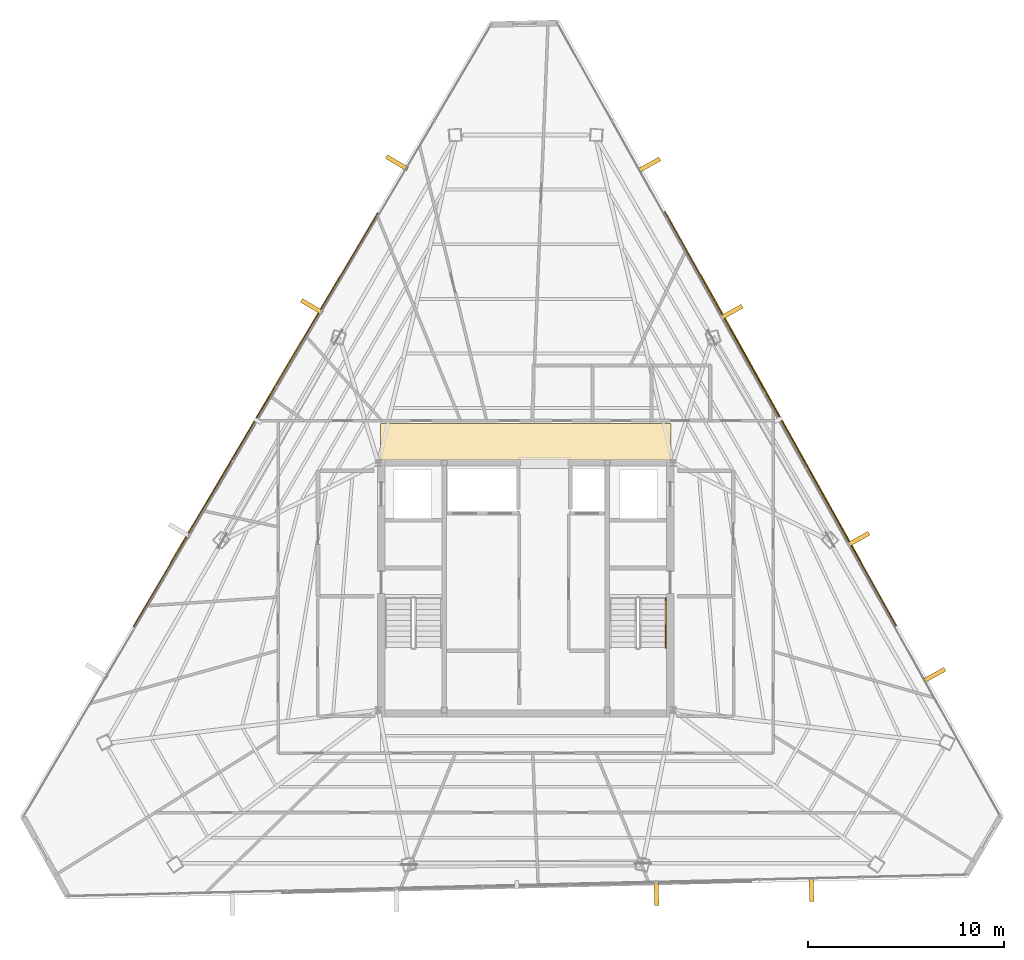
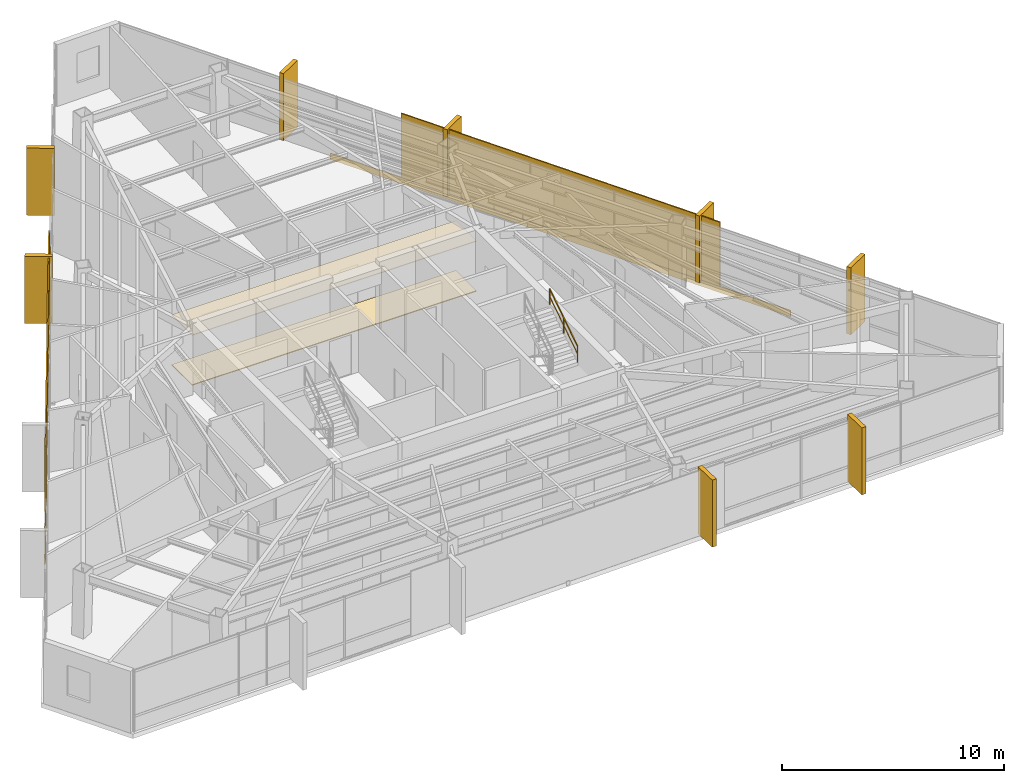
# One storey, part 45 of 45: 12 coverings, 2 shading devices, 1 railing.
"""IFC4 building model written with IfcOpenShell, lengths in metres."""

from ifc_helpers import new_model, si_unit, direction, frame, origin, origin_2d, place, context, subcontext, project, spatial, polyline, rectangle, outline, extrude, source, transform, mapped, material, layer, layer_set, type_object, type_shapes, element, save


model = new_model("IFC4")

# Units and contexts
model_context = context("Model", 3, precision=1e-05, world=origin(), true_north=direction((0.0, 1.0)))
body_context = subcontext(model_context, "Body", "Model", "MODEL_VIEW")
ifc_project = project(units=[si_unit("LENGTHUNIT", "METRE"), si_unit("AREAUNIT", "SQUARE_METRE"), si_unit("VOLUMEUNIT", "CUBIC_METRE"), si_unit("PLANEANGLEUNIT", "RADIAN"), si_unit("MASSUNIT", "GRAM", prefix="KILO")], contexts=[model_context])

# Site, building, storey
site_placement = place(None, origin())
site = spatial("IfcSite", under=ifc_project, at=site_placement, CompositionType="ELEMENT")
building_placement = place(site_placement, origin())
building = spatial("IfcBuilding", under=site, at=building_placement, Name="Caelisora Broadcast Tower", CompositionType="ELEMENT")
storey_placement = place(building_placement, frame((0.0, 0.0, 266.35009765625)))
storey = spatial("IfcBuildingStorey", under=building, at=storey_placement, Name="L70", CompositionType="ELEMENT", Elevation=266.35009765625)

# Coverings
ifc_material_1 = material(Name="Perforated Mineral-Fibre Acoustic Ceiling Tile", Category="gypsum")
ifc_layer_1 = layer(ifc_material_1, 0.034912109375, Name="Perforated Mineral-Fibre Acoustic Ceiling Tile")
ifc_layer_set_1 = layer_set([ifc_layer_1], Name="Perforated Mineral-Fibre Acoustic Ceiling Tile")
covering_type_1 = type_object("IfcCoveringType", Name="CE-1", PredefinedType="CEILING", material=ifc_layer_set_1)
covering_1_placement = place(storey_placement, frame((0.0, 0.0, 2.75)))
element("IfcCovering", 1, at=covering_1_placement, inside=storey, type_object=covering_type_1, Name="L70 acoustic corridor ceiling CE-1 (N)", PredefinedType="CEILING", context=body_context, shape_type="SweptSolid", body=[
    extrude(outline(polyline([(30.60009765625, 30.14990234375), (45.39990234375, 30.14990234375), (45.39990234375, 32.0), (30.60009765625, 32.0), (30.60009765625, 30.14990234375)])), origin(), (0.0, 0.0, 1.0), 0.034912109375),
])
ifc_material_2 = material(Name="Anti-Static Broadcast Raised Access Floor Panel", Category="steel")
ifc_layer_2 = layer(ifc_material_2, 0.044921875, Name="Anti-Static Broadcast Raised Access Floor Panel")
ifc_layer_set_2 = layer_set([ifc_layer_2], Name="Anti-Static Broadcast Raised Access Floor Panel")
covering_type_2 = type_object("IfcCoveringType", Name="FL-1", PredefinedType="FLOORING", material=ifc_layer_set_2)
covering_2_placement = place(storey_placement, origin())
element("IfcCovering", 2, at=covering_2_placement, inside=storey, type_object=covering_type_2, Name="L70 broadcast raised access floor FL-1 (N)", PredefinedType="FLOORING", context=body_context, shape_type="SweptSolid", body=[
    extrude(outline(polyline([(30.60009765625, 30.14990234375), (45.39990234375, 30.14990234375), (45.39990234375, 32.0), (30.60009765625, 32.0), (30.60009765625, 30.14990234375)])), origin(), (0.0, 0.0, 1.0), 0.044921875),
])

# Railing
ifc_material_3 = material(Name="Stainless Steel Grade 316 Tubular Handrail", Category="steel")
ifc_layer_3 = layer(ifc_material_3, 0.048095703125, Name="Stainless Steel Grade 316 Tubular Handrail")
ifc_layer_set_3 = layer_set([ifc_layer_3], Name="Stainless Steel Grade 316 Tubular Handrail")
railing_type = type_object("IfcRailingType", Name="HR-1", PredefinedType="HANDRAIL", material=ifc_layer_set_3)
railing_placement = place(storey_placement, frame((45.1298828125, 20.580078125, 2.00732421875)))
element("IfcRailing", 3, at=railing_placement, inside=storey, type_object=railing_type, Name="L70 ST-2 stair handrail 2", PredefinedType="HANDRAIL", context=body_context, shape_type="SweptSolid", body=[
    extrude(rectangle(XDim=0.048095703125, YDim=0.048095703125, at=origin_2d()), frame((0.0, 0.0, 0.8759765625), z_axis=(0.0, 0.837749427056, 0.546054848405), x_axis=(-1.0, 0.0, 0.0)), (0.0, 0.0, 1.0), 3.008056640625),
    extrude(rectangle(XDim=0.03125, YDim=0.03125, at=origin_2d()), frame((0.0, 0.0, 0.449951171875), z_axis=(0.0, 0.837749427056, 0.546054848405), x_axis=(-1.0, 0.0, 0.0)), (0.0, 0.0, 1.0), 3.008056640625),
    extrude(rectangle(XDim=0.0419921875, YDim=0.0419921875, at=origin_2d()), origin(), (0.0, 0.0, 1.0), 0.851806640625),
    extrude(rectangle(XDim=0.0419921875, YDim=0.0419921875, at=origin_2d()), frame((0.0, 1.260009765625, 0.8212890625)), (0.0, 0.0, 1.0), 0.851806640625),
    extrude(rectangle(XDim=0.0419921875, YDim=0.0419921875, at=origin_2d()), frame((0.0, 2.52001953125, 1.642578125)), (0.0, 0.0, 1.0), 0.851806640625),
])

# Coverings
ifc_material_4 = material(Name="Kiln-Fired Terracotta Spandrel Rainscreen Cladding", Category="ceramic")
ifc_layer_4 = layer(ifc_material_4, 0.044921875, Name="Kiln-Fired Terracotta Spandrel Rainscreen Cladding")
ifc_layer_set_4 = layer_set([ifc_layer_4], Name="Kiln-Fired Terracotta Spandrel Rainscreen Cladding")
covering_type_3 = type_object("IfcCoveringType", Name="CL-1", PredefinedType="CLADDING", material=ifc_layer_set_4)
shared_shape_1 = source(origin(), body_context, "Body", "SweptSolid", [
    extrude(rectangle(XDim=0.219970703125, YDim=1.25, at=origin_2d()), origin(), (0.0, 0.0, 1.0), 3.68994140625),
])
for number, where, z_axis, x_axis, name in (
    (4, (44.28564453125, 45.17431640625, -0.02001953125), (0.0, 0.0, 1.0), (0.487859659139, -0.87292207727, 0.0), "L70 vertical solar fin cladding #1-1"),
    (5, (48.4765625, 37.674560546875, -0.02001953125), (0.0, 0.0, 1.0), (0.487859659139, -0.87292207727, 0.0), "L70 vertical solar fin cladding #1-2"),
    (6, (54.938720703125, 26.110107421875, -0.02001953125), (0.0, 0.0, 1.0), (0.487859659139, -0.87292207727, 0.0), "L70 vertical solar fin cladding #1-3"),
    (7, (58.807373046875, 19.187255859375, -0.02001953125), (0.0, 0.0, 1.0), (0.487859659139, -0.87292207727, 0.0), "L70 vertical solar fin cladding #1-4"),
    (8, (52.552734375, 8.2724609375, -0.02001953125), (0.0, 0.0, 1.0), (-0.999714145402, -0.023908732351, 0.0), "L70 vertical solar fin cladding #2-1"),
    (9, (44.658935546875, 8.083740234375, -0.02001953125), (0.0, 0.0, 1.0), (-0.999714145402, -0.023908732351, 0.0), "L70 vertical solar fin cladding #2-2"),
    (10, (27.113037109375, 37.956787109375, -0.02001953125), (0.0, 0.0, 1.0), (0.508590662521, 0.861008442465, 0.0), "L70 vertical solar fin cladding #3-3"),
    (11, (31.43896484375, 45.28125, -0.02001953125), (0.0, 0.0, 1.0), (0.508590662521, 0.861008442465, 0.0), "L70 vertical solar fin cladding #3-4"),
):
    element("IfcCovering", number, at=place(storey_placement, frame(where, z_axis=z_axis, x_axis=x_axis)), inside=storey, type_object=covering_type_3, Name=name, PredefinedType="CLADDING", context=body_context, shape_type="MappedRepresentation", body=[
        mapped(shared_shape_1, transform((0.0, 0.0, 0.0), scale=1.0)),
    ])

# Shading device
ifc_material_5 = material(Name="Perforated Glazed Terracotta Baguette Solar Screen", Category="ceramic")
ifc_layer_5 = layer(ifc_material_5, 0.06494140625, Name="Perforated Glazed Terracotta Baguette Solar Screen")
ifc_layer_set_5 = layer_set([ifc_layer_5], Name="Perforated Glazed Terracotta Baguette Solar Screen")
shading_device_type = type_object("IfcShadingDeviceType", Name="SS-1", PredefinedType="USERDEFINED", material=ifc_layer_set_5)
shared_shape_2 = source(origin(), body_context, "Body", "SweptSolid", [
    extrude(rectangle(XDim=16.931884765625, YDim=0.06494140625, at=origin_2d()), origin(), (0.0, 0.0, 1.0), 3.590087890625),
])
shading_device_1_placement = place(storey_placement, frame((24.2353515625, 32.19970703125, 0.0), z_axis=(0.0, 0.0, 1.0), x_axis=(-0.508590662521, -0.861008442465, 0.0)))
element("IfcShadingDevice", 12, at=shading_device_1_placement, inside=storey, type_object=shading_device_type, Name="L70 perforated terracotta solar screen #1", ObjectType="SOLAR SCREEN", PredefinedType="USERDEFINED", context=body_context, shape_type="MappedRepresentation", body=[
    mapped(shared_shape_2, transform((0.0, 0.0, 0.0), scale=1.0)),
])

# Covering
shared_shape_3 = source(origin(), body_context, "Body", "SweptSolid", [
    extrude(rectangle(XDim=24.45703125, YDim=0.044921875, at=origin_2d()), origin(), (0.0, 0.0, 1.0), 0.340087890625),
])
covering_3_placement = place(storey_placement, frame((24.252685546875, 32.189453125, -0.27001953125), z_axis=(0.0, 0.0, 1.0), x_axis=(-0.508590662521, -0.861008442465, 0.0)))
element("IfcCovering", 13, at=covering_3_placement, inside=storey, type_object=covering_type_3, Name="L70 terracotta spandrel rainscreen #1", PredefinedType="CLADDING", context=body_context, shape_type="MappedRepresentation", body=[
    mapped(shared_shape_3, transform((0.0, 0.0, 0.0), scale=1.0)),
])

# Shading device
shared_shape_4 = source(origin(), body_context, "Body", "SweptSolid", [
    extrude(rectangle(XDim=16.72802734375, YDim=0.06494140625, at=origin_2d()), origin(), (0.0, 0.0, 1.0), 3.590087890625),
])
type_shapes(shading_device_type, [shared_shape_2, shared_shape_4])
shading_device_2_placement = place(storey_placement, frame((50.99169921875, 32.25146484375, 0.0), z_axis=(0.0, 0.0, 1.0), x_axis=(-0.487859659139, 0.87292207727, 0.0)))
element("IfcShadingDevice", 14, at=shading_device_2_placement, inside=storey, type_object=shading_device_type, Name="L70 perforated terracotta solar screen #3", ObjectType="SOLAR SCREEN", PredefinedType="USERDEFINED", context=body_context, shape_type="MappedRepresentation", body=[
    mapped(shared_shape_4, transform((0.0, 0.0, 0.0), scale=1.0)),
])

# Covering
shared_shape_5 = source(origin(), body_context, "Body", "SweptSolid", [
    extrude(rectangle(XDim=24.1630859375, YDim=0.044921875, at=origin_2d()), origin(), (0.0, 0.0, 1.0), 0.340087890625),
])
type_shapes(covering_type_3, [shared_shape_1, shared_shape_3, shared_shape_5])
covering_4_placement = place(storey_placement, frame((50.97412109375, 32.24169921875, -0.27001953125), z_axis=(0.0, 0.0, 1.0), x_axis=(-0.487859659139, 0.87292207727, 0.0)))
element("IfcCovering", 15, at=covering_4_placement, inside=storey, type_object=covering_type_3, Name="L70 terracotta spandrel rainscreen #3", PredefinedType="CLADDING", context=body_context, shape_type="MappedRepresentation", body=[
    mapped(shared_shape_5, transform((0.0, 0.0, 0.0), scale=1.0)),
])

save(model, "model.ifc")
